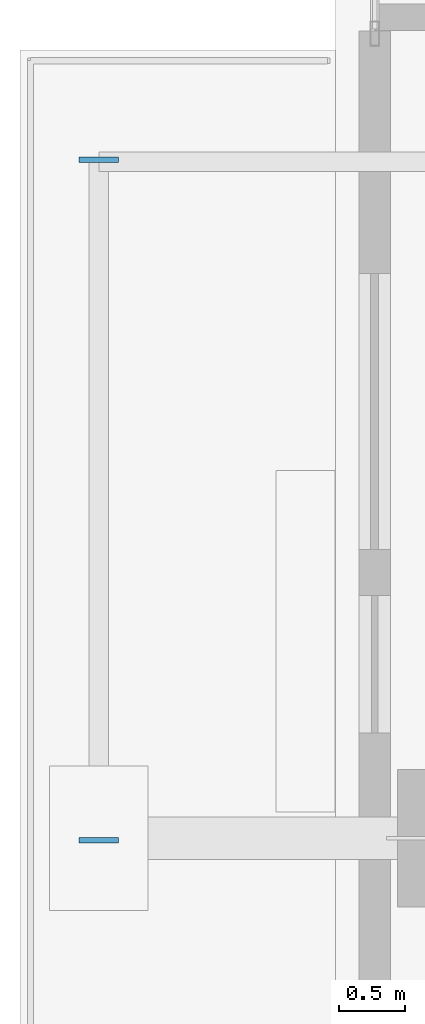
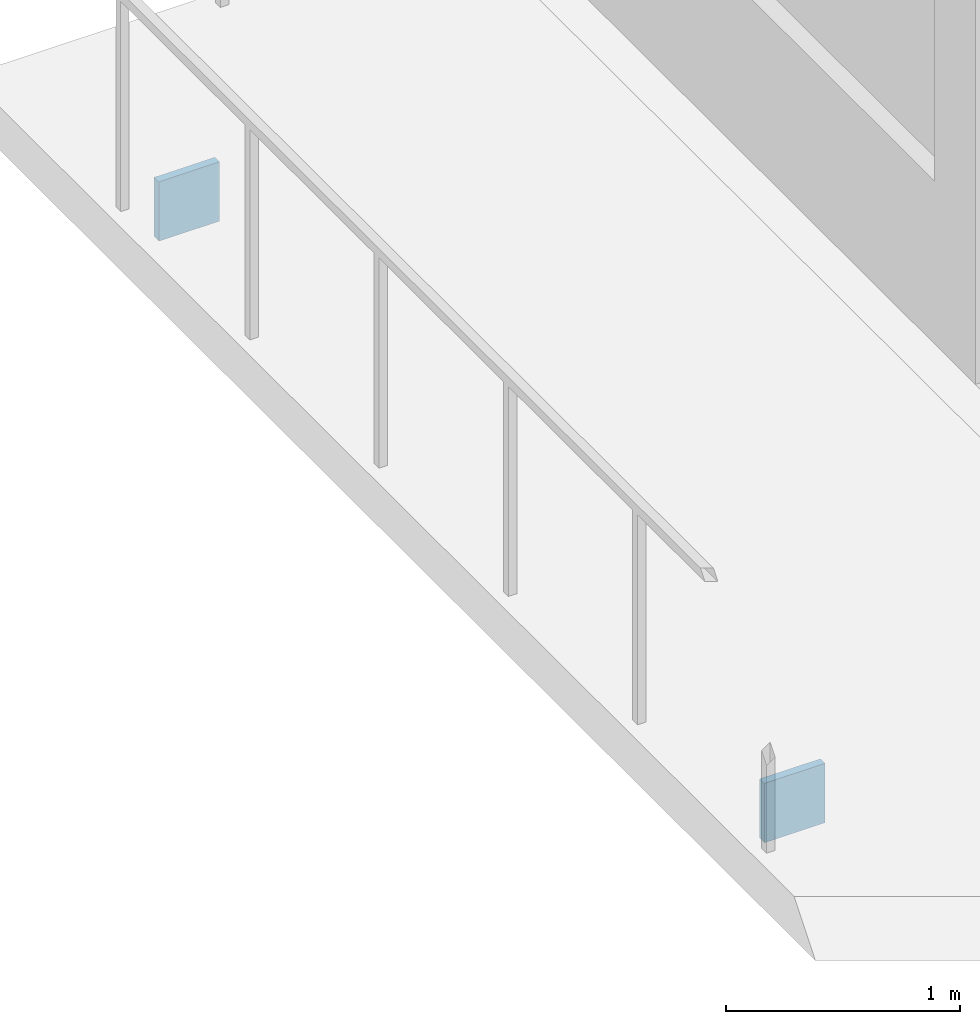
# One storey, part 19 of 28: 2 plates.
"""IFC4 building model written with IfcOpenShell, lengths in metres."""

from ifc_helpers import new_model, si_unit, direction, frame, origin, origin_2d, place, context, subcontext, project, spatial, rectangle, extrude, material, layer, layer_set, type_object, element, save


model = new_model("IFC4")

# Units and contexts
model_context = context("Model", 3, precision=1e-05, world=origin(), true_north=direction((0.0, 1.0)))
body_context = subcontext(model_context, "Body", "Model", "MODEL_VIEW")
ifc_project = project(units=[si_unit("LENGTHUNIT", "METRE"), si_unit("AREAUNIT", "SQUARE_METRE"), si_unit("VOLUMEUNIT", "CUBIC_METRE"), si_unit("PLANEANGLEUNIT", "RADIAN"), si_unit("MASSUNIT", "GRAM", prefix="KILO"), si_unit("THERMODYNAMICTEMPERATUREUNIT", "KELVIN"), si_unit("POWERUNIT", "WATT")], contexts=[model_context])

# Site, building, storey
site_placement = place(None, origin())
site = spatial("IfcSite", under=ifc_project, at=site_placement, CompositionType="ELEMENT")
building_placement = place(site_placement, origin())
building = spatial("IfcBuilding", under=site, at=building_placement, Name="Svarakhadi Broadcast Tower", CompositionType="ELEMENT")
storey_placement = place(building_placement, frame((0.0, 0.0, 169.199951171875)))
storey = spatial("IfcBuildingStorey", under=building, at=storey_placement, Name="L41", CompositionType="ELEMENT", Elevation=169.199951171875)

# Plates
ifc_material = material(Name="Steel S460ML (IS 2062 E450BR)", Category="steel")
ifc_layer = layer(ifc_material, 0.028076171875)
ifc_layer_set = layer_set([ifc_layer], Name="Steel S460ML (IS 2062 E450BR)")
plate_type = type_object("IfcPlateType", Name="Cap_Plate_CP02", PredefinedType="USERDEFINED", material=ifc_layer_set)
for number, where, z_axis, x_axis, name in (
    (1, (-1.800048828125, 23.985107421875, -0.5048828125), (0.0, 0.0, 1.0), (1.0, 0.0, 0.0), "L41 Balcony Spandrel End Cap Plate 2F-A"),
    (2, (-1.800048828125, 29.1650390625, -0.5048828125), (0.0, 0.0, 1.0), (1.0, 0.0, 0.0), "L41 Balcony Spandrel End Cap Plate 2F-B"),
):
    element("IfcPlate", number, at=place(storey_placement, frame(where, z_axis=z_axis, x_axis=x_axis)), inside=storey, type_object=plate_type, Name=name, ObjectType="FLANGE_PLATE", PredefinedType="USERDEFINED", context=body_context, shape_type="SweptSolid", body=[
        extrude(rectangle(XDim=0.300048828125, YDim=0.0400390625, at=origin_2d()), origin(), (0.0, 0.0, 1.0), 0.31005859375),
    ])

save(model, "model.ifc")
